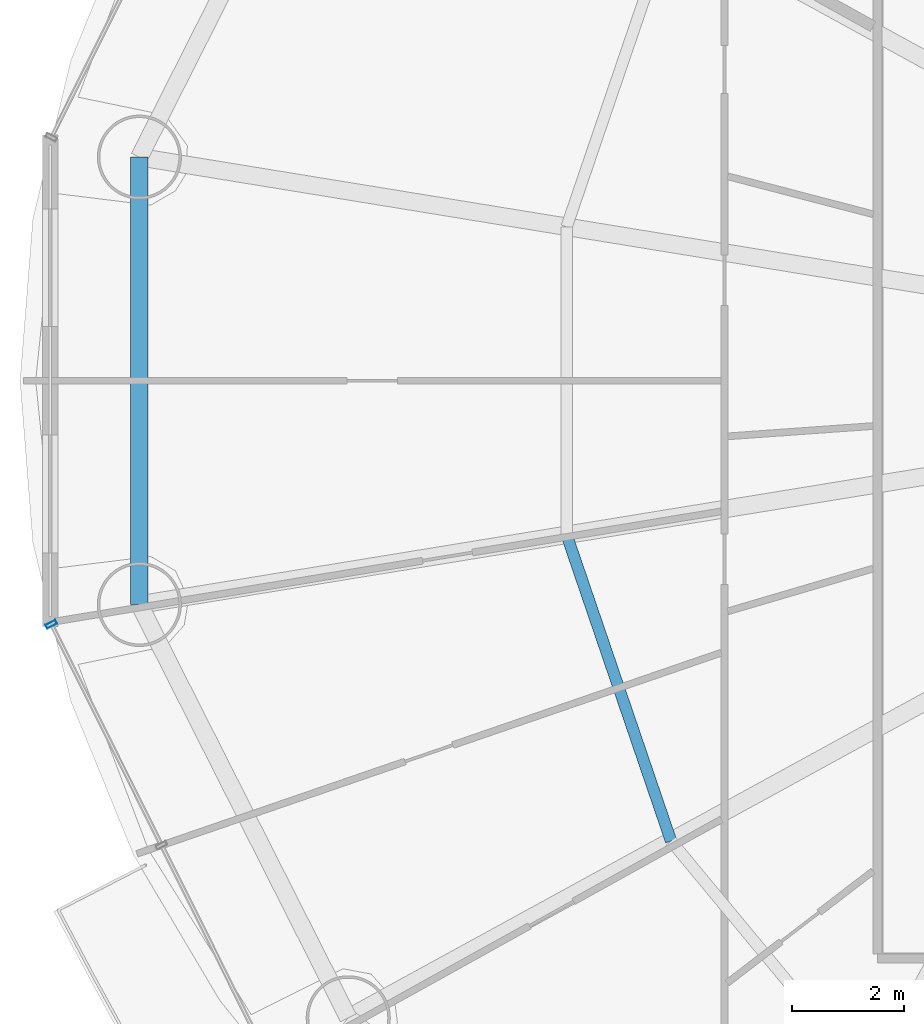
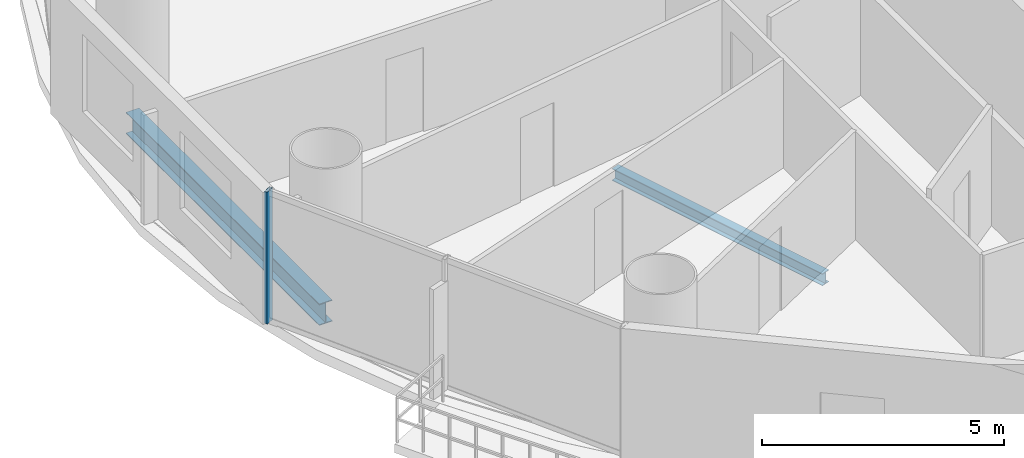
# One storey, part 7 of 29: 2 beams, 1 member, 1 element without a shape of its own.
"""IFC4 building model written with IfcOpenShell, lengths in metres."""

from ifc_helpers import new_model, si_unit, direction, frame, origin, origin_2d, place, context, subcontext, project, spatial, hollow_rectangle, i_section, extrude, source, transform, mapped, material, material_profile, profile_set, type_object, element, aggregate, save


model = new_model("IFC4")

# Units and contexts
model_context = context("Model", 3, precision=1e-05, world=origin(), true_north=direction((-0.2419218956, 0.970295726276)))
body_context = subcontext(model_context, "Body", "Model", "MODEL_VIEW")
ifc_project = project(units=[si_unit("LENGTHUNIT", "METRE"), si_unit("AREAUNIT", "SQUARE_METRE"), si_unit("VOLUMEUNIT", "CUBIC_METRE"), si_unit("PLANEANGLEUNIT", "RADIAN"), si_unit("MASSUNIT", "GRAM", prefix="KILO")], contexts=[model_context])

# Site, building, storey
site_placement = place(None, origin())
site = spatial("IfcSite", under=ifc_project, at=site_placement, CompositionType="ELEMENT")
building_placement = place(site_placement, origin())
building = spatial("IfcBuilding", under=site, at=building_placement, Name="Cobrevalo Terracotta Tower", CompositionType="ELEMENT")
storey_placement = place(building_placement, frame((0.0, 0.0, 94.199951171875)))
storey = spatial("IfcBuildingStorey", under=building, at=storey_placement, Name="L24", CompositionType="ELEMENT", Elevation=94.199951171875)

# Beams
ifc_material_1 = material(Name="Steel S355", Category="steel")
ifc_material_profile_1 = material_profile(ifc_material_1, i_section(OverallWidth=0.2041015625, OverallDepth=0.305908203125, WebThickness=0.008544921875, FlangeThickness=0.0146484375, at=origin_2d()), Name="W 310x67")
ifc_profile_set_1 = profile_set([ifc_material_profile_1], Name="Steel S355")
beam_type_1 = type_object("IfcBeamType", Name="Structural Joist W 310x67 (Steel S355)", PredefinedType="JOIST", material=ifc_profile_set_1)
beam_1_placement = place(storey_placement, frame((21.149658203125, 24.052734375, -0.427978515625), z_axis=(0.322846227919, -0.946451431991, 0.0), x_axis=(0.946451431991, 0.322846227919, 0.0)))
element("IfcBeam", 1, at=beam_1_placement, inside=storey, type_object=beam_type_1, Name="L24 circumferential secondary floor joist 09", PredefinedType="JOIST", context=body_context, shape_type="SweptSolid", body=[
    extrude(i_section(OverallWidth=0.2041015625, OverallDepth=0.305908203125, WebThickness=0.008544921875, FlangeThickness=0.0146484375, at=origin_2d()), origin(), (0.0, 0.0, 1.0), 5.77001953125),
])
ifc_material_profile_2 = material_profile(ifc_material_1, i_section(OverallWidth=0.31201171875, OverallDepth=0.54296875, WebThickness=0.0126953125, FlangeThickness=0.020263671875, at=origin_2d()), Name="W 530x150")
ifc_profile_set_2 = profile_set([ifc_material_profile_2], Name="Steel S355")
beam_type_2 = type_object("IfcBeamType", Name="Structural Spandrel W 530x150 (Steel S355)", PredefinedType="SPANDREL", material=ifc_profile_set_2)
beam_2_placement = place(storey_placement, frame((13.529296875, 30.78955078125, -0.54638671875), z_axis=(0.0, -1.0, 0.0), x_axis=(1.0, 0.0, 0.0)))
element("IfcBeam", 2, at=beam_2_placement, inside=storey, type_object=beam_type_2, Name="L24 perimeter ring spandrel 08", PredefinedType="SPANDREL", context=body_context, shape_type="SweptSolid", body=[
    extrude(i_section(OverallWidth=0.31201171875, OverallDepth=0.54296875, WebThickness=0.0126953125, FlangeThickness=0.020263671875, at=origin_2d()), origin(), (0.0, 0.0, 1.0), 7.979248046875),
])

# Curtain wall, member
ifc_material_2 = material(Name="Anodized aluminium", Category="aluminium")
curtain_wall_type = type_object("IfcCurtainWallType", Name="Lower-tower unitised acoustic low-E curtain wall CW-U1", PredefinedType="NOTDEFINED", material=ifc_material_2)
curtain_wall_placement = place(storey_placement, origin())
curtain_wall = element("IfcCurtainWall", 3, at=curtain_wall_placement, inside=storey, type_object=curtain_wall_type, Name="L24 curtain wall CW-L24-S09", PredefinedType="NOTDEFINED")
ifc_material_profile_3 = material_profile(ifc_material_2, hollow_rectangle(XDim=0.074951171875, YDim=0.199951171875, WallThickness=0.0048828125, at=origin_2d()), Name="CWM 75x200")
ifc_profile_set_3 = profile_set([ifc_material_profile_3], Name="Anodized aluminium")
member_type = type_object("IfcMemberType", Name="Lower/mid tower unitised mullion 75x200", PredefinedType="MULLION", material=ifc_profile_set_3)
shared_shape = source(origin(), body_context, "Body", "SweptSolid", [
    extrude(hollow_rectangle(XDim=0.074951171875, YDim=0.199951171875, WallThickness=0.0048828125, at=origin_2d()), origin(), (0.0, 0.0, 1.0), 3.324951171875),
])
member_placement = place(storey_placement, frame((11.95849609375, 22.45849609375, 0.0), z_axis=(0.0, 0.0, 1.0), x_axis=(0.446260290227, -0.894903208937, 0.0)))
member = element("IfcMember", 4, at=member_placement, type_object=member_type, Name="CW-L24-S09 vertical mullion 01", PredefinedType="MULLION", context=body_context, shape_type="MappedRepresentation", body=[
    mapped(shared_shape, transform((0.0, 0.0, 0.0), scale=1.0)),
])
aggregate(curtain_wall, [member])

save(model, "model.ifc")
